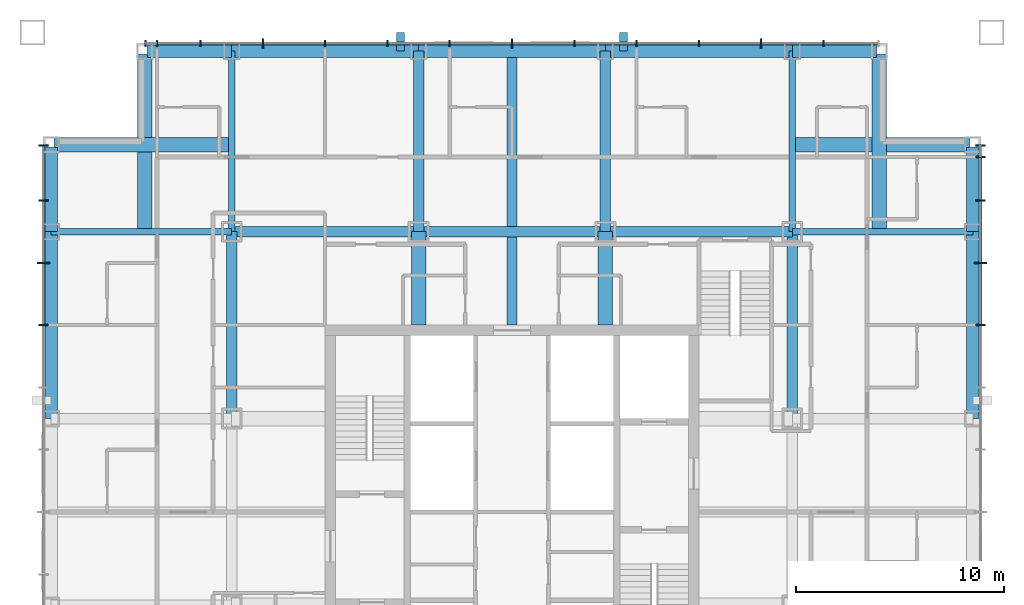
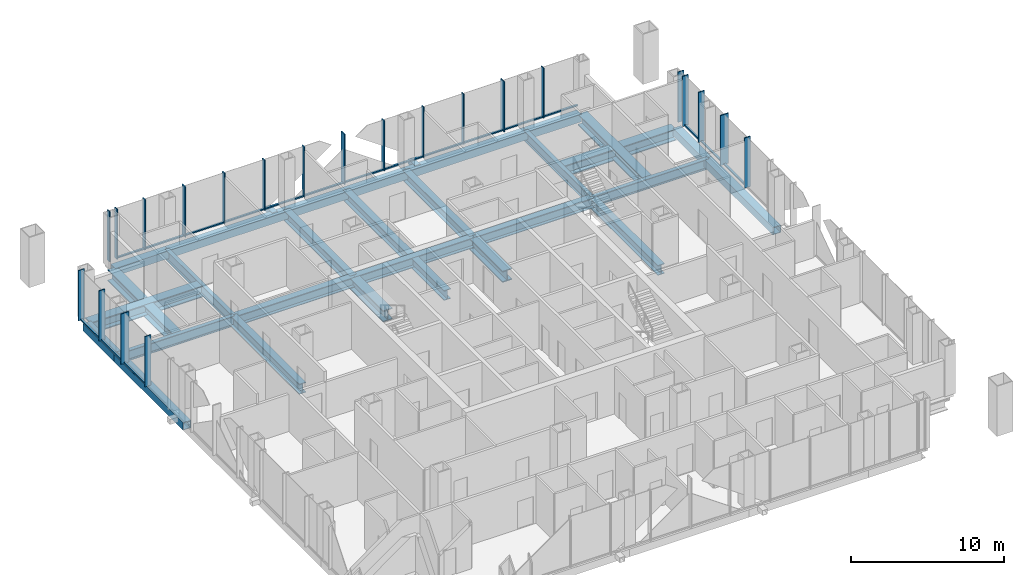
# One storey, part 4 of 17: 42 members, 27 beams, 3 elements without a shape of their own.
"""IFC4 building model written with IfcOpenShell, lengths in metres."""

import ifcopenshell
import ifcopenshell.guid

model = None  # the IFC model being written
_history = None  # IfcOwnerHistory: only IFC2X3 demands one
_inside = {}  # id of a spatial element -> (the spatial element, [elements in it])
_under = {}  # id of a project, library or spatial element -> (it, [spatial elements below it])
_declared = {}  # id of a project -> (the project, [libraries it declares])
_typed = {}  # id of a type object -> (the type object, [elements of that type])
_made_of = {}  # id of a material, layer set ... -> (it, [elements and type objects made of it])


def new_model(schema):
    """Start an empty IFC model of exactly this schema.

    Asked for "IFC4X3", IfcOpenShell would pick the latest addendum, in which some entities
    have other attributes; the version numbers below select the first issue.
    IFC2X3 requires an IfcOwnerHistory on every rooted entity: one is made here for all.
    """
    global model, _history
    if schema == "IFC4X3":
        model = ifcopenshell.file(schema_version=(4, 3, 0, 0))
    else:
        model = ifcopenshell.file(schema=schema)
    _inside.clear()
    _under.clear()
    _declared.clear()
    _typed.clear()
    _made_of.clear()
    _history = None
    if model.schema == "IFC2X3":
        org = make("IfcOrganization", Name="unknown")
        user = make(
            "IfcPersonAndOrganization",
            ThePerson=make("IfcPerson", FamilyName="unknown"),
            TheOrganization=org,
        )
        app = make(
            "IfcApplication",
            ApplicationDeveloper=org,
            Version="unknown",
            ApplicationFullName="unknown",
            ApplicationIdentifier="unknown",
        )
        _history = make(
            "IfcOwnerHistory",
            OwningUser=user,
            OwningApplication=app,
            ChangeAction="ADDED",
            CreationDate=0,
        )
    return model


def make(cls, **values):
    """One entity of the class cls with the attributes given. An attribute that is None is left unset."""
    return model.create_entity(
        cls, **{name: value for name, value in values.items() if value is not None}
    )


def rooted(cls, **values):
    """An entity with a GlobalId (a new one), such as an element, a storey or a relation."""
    return make(cls, GlobalId=ifcopenshell.guid.new(), OwnerHistory=_history, **values)


def si_unit(unit_type, name, prefix=None):
    """IfcSIUnit, for example si_unit("LENGTHUNIT", "METRE", prefix="MILLI")."""
    return make("IfcSIUnit", UnitType=unit_type, Prefix=prefix, Name=name)


def assignment(units):
    """IfcUnitAssignment: the units of a project."""
    return None if units is None else make("IfcUnitAssignment", Units=units)


def point(xyz):
    """IfcCartesianPoint."""
    return None if xyz is None else make("IfcCartesianPoint", Coordinates=xyz)


def direction(xyz):
    """IfcDirection."""
    return None if xyz is None else make("IfcDirection", DirectionRatios=xyz)


def frame(location, z_axis=None, x_axis=None):
    """IfcAxis2Placement3D, a coordinate frame: its origin and axes. An axis left out is left unset."""
    return make(
        "IfcAxis2Placement3D",
        Location=point(location),
        Axis=direction(z_axis),
        RefDirection=direction(x_axis),
    )


def frame_2d(location, x_axis=None):
    """IfcAxis2Placement2D, a coordinate frame in the plane: its origin and x axis."""
    return make(
        "IfcAxis2Placement2D", Location=point(location), RefDirection=direction(x_axis)
    )


def origin():
    """The frame at (0, 0, 0) with its axes left unset."""
    return frame((0.0, 0.0, 0.0))


def origin_2d():
    """The frame at (0, 0) in the plane with its x axis left unset."""
    return frame_2d((0.0, 0.0))


def place(relative_to, where):
    """IfcLocalPlacement: puts the frame where relative to a parent placement (None: the world)."""
    return make(
        "IfcLocalPlacement", PlacementRelTo=relative_to, RelativePlacement=where
    )


def context(
    kind, dimensions, precision=None, world=None, true_north=None, identifier=None
):
    """IfcGeometricRepresentationContext, for example the 3D "Model" context."""
    return make(
        "IfcGeometricRepresentationContext",
        ContextIdentifier=identifier,
        ContextType=kind,
        CoordinateSpaceDimension=dimensions,
        Precision=precision,
        WorldCoordinateSystem=world,
        TrueNorth=true_north,
    )


def subcontext(parent, identifier, kind, view, scale=None):
    """IfcGeometricRepresentationSubContext, for example "Body" below "Model"."""
    return make(
        "IfcGeometricRepresentationSubContext",
        ContextIdentifier=identifier,
        ContextType=kind,
        ParentContext=parent,
        TargetScale=scale,
        TargetView=view,
    )


def project(units=None, contexts=None):
    """IfcProject with its units and contexts."""
    return rooted(
        "IfcProject",
        Name="project",
        RepresentationContexts=contexts,
        UnitsInContext=assignment(units),
    )


def spatial(cls, under=None, at=None, **own):
    """A site, building, storey or space (cls), placed at a placement, below another one or the project."""
    s = rooted(cls, ObjectPlacement=at, **own)
    if under is not None:
        _under.setdefault(under.id(), (under, []))[1].append(s)
    return s


def profile(cls, at=None, kind="AREA", **sizes):
    """A parametric profile (cls). Its sizes go by their IFC names, for example OverallWidth=200.0."""
    return make(cls, ProfileType=kind, Position=at, **sizes)


def rectangle(**sizes):
    """IfcRectangleProfileDef."""
    return profile("IfcRectangleProfileDef", **sizes)


def hollow_rectangle(**sizes):
    """IfcRectangleHollowProfileDef."""
    return profile("IfcRectangleHollowProfileDef", **sizes)


def i_section(**sizes):
    """IfcIShapeProfileDef."""
    return profile("IfcIShapeProfileDef", **sizes)


def extrude(swept, where, along, depth):
    """IfcExtrudedAreaSolid: the profile swept, set in the frame where, extruded along a direction by depth."""
    return make(
        "IfcExtrudedAreaSolid",
        SweptArea=swept,
        Position=where,
        ExtrudedDirection=direction(along),
        Depth=depth,
    )


def shape(context_of_items, identifier, shape_type, items):
    """IfcShapeRepresentation: the items that make up one representation, for example the "Body"."""
    return make(
        "IfcShapeRepresentation",
        ContextOfItems=context_of_items,
        RepresentationIdentifier=identifier,
        RepresentationType=shape_type,
        Items=items,
    )


def material(Name=None, Category=None):
    """IfcMaterial."""
    return make("IfcMaterial", Name=Name, Category=Category)


def layer(
    of_material, thickness, ventilated=None, Name=None, Category=None, Priority=None
):
    """IfcMaterialLayer: one layer of a wall or slab, of a material (None: an air gap)."""
    return make(
        "IfcMaterialLayer",
        Material=of_material,
        LayerThickness=thickness,
        IsVentilated=ventilated,
        Name=Name,
        Category=Category,
        Priority=Priority,
    )


def layer_set(layers, Name=None):
    """IfcMaterialLayerSet."""
    return make("IfcMaterialLayerSet", MaterialLayers=layers, LayerSetName=Name)


def material_profile(
    of_material, cross_section, Name=None, Category=None, Priority=None
):
    """IfcMaterialProfile: a cross section and its material."""
    return make(
        "IfcMaterialProfile",
        Name=Name,
        Material=of_material,
        Profile=cross_section,
        Priority=Priority,
        Category=Category,
    )


def profile_set(profiles, Name=None, composite=None):
    """IfcMaterialProfileSet."""
    return make(
        "IfcMaterialProfileSet",
        Name=Name,
        MaterialProfiles=profiles,
        CompositeProfile=composite,
    )


def made_of(thing, what):
    """Note that an element or type object is made of a material, layer set ...; save() writes the relation."""
    if what is not None:
        _made_of.setdefault(what.id(), (what, []))[1].append(thing)
    return thing


def type_object(cls, material=None, **own):
    """A type object (cls), such as IfcWallType, which elements share."""
    return made_of(rooted(cls, **own), material)


def element(
    cls,
    number,
    at=None,
    inside=None,
    cuts=None,
    type_object=None,
    material=None,
    context=None,
    identifier="Body",
    shape_type=None,
    held_by="IfcProductDefinitionShape",
    body=None,
    shapes=None,
    **own,
):
    """One element of the class cls, such as IfcWall. Its Tag is "e" and its number.

    at: its placement. inside: the storey or other place that contains it. cuts: it is an
    opening in that element (IfcRelVoidsElement). A single representation is given by context,
    identifier, shape_type and body (its items); several are given by shapes. held_by: the class
    of the entity that holds the representations. save() writes the other relations.
    """
    e = rooted(cls, Tag="e%d" % number, ObjectPlacement=at, **own)
    if body is not None:
        shapes = [shape(context, identifier, shape_type, body)]
    if shapes is not None:
        e.Representation = make(held_by, Representations=shapes)
    if inside is not None:
        _inside.setdefault(inside.id(), (inside, []))[1].append(e)
    if cuts is not None:
        rooted(
            "IfcRelVoidsElement", RelatingBuildingElement=cuts, RelatedOpeningElement=e
        )
    if type_object is not None:
        _typed.setdefault(type_object.id(), (type_object, []))[1].append(e)
    return made_of(e, material)


def aggregate(whole, parts):
    """IfcRelAggregates: a whole, such as a stair, and the parts it consists of."""
    return rooted("IfcRelAggregates", RelatingObject=whole, RelatedObjects=parts)


def save(model, path):
    """Write the relations noted so far, then the file.

    IfcRelAggregates (storeys below a building ...), IfcRelContainedInSpatialStructure (elements
    in a storey), IfcRelDefinesByType, IfcRelAssociatesMaterial and IfcRelDeclares: one each for
    every whole, place, type object, material and project.
    """
    for whole, parts in _under.values():
        aggregate(whole, parts)
    for where, things in _inside.values():
        rooted(
            "IfcRelContainedInSpatialStructure",
            RelatedElements=things,
            RelatingStructure=where,
        )
    for kind, things in _typed.values():
        rooted("IfcRelDefinesByType", RelatedObjects=things, RelatingType=kind)
    for what, things in _made_of.values():
        rooted("IfcRelAssociatesMaterial", RelatedObjects=things, RelatingMaterial=what)
    for by, libraries in _declared.values():
        rooted("IfcRelDeclares", RelatingContext=by, RelatedDefinitions=libraries)
    model.write(path)


model = new_model("IFC4")

# Units and contexts
model_context = context("Model", 3, precision=1e-05, world=origin(), true_north=direction((0.0, 1.0)))
body_context = subcontext(model_context, "Body", "Model", "MODEL_VIEW")
ifc_project = project(units=[si_unit("LENGTHUNIT", "METRE"), si_unit("AREAUNIT", "SQUARE_METRE"), si_unit("VOLUMEUNIT", "CUBIC_METRE"), si_unit("PLANEANGLEUNIT", "RADIAN"), si_unit("MASSUNIT", "GRAM", prefix="KILO")], contexts=[model_context])

# Site, building, storey
site_placement = place(None, origin())
site = spatial("IfcSite", under=ifc_project, at=site_placement, CompositionType="ELEMENT")
building_placement = place(site_placement, origin())
building = spatial("IfcBuilding", under=site, at=building_placement, Name="Malebo Sky Hospital", CompositionType="ELEMENT")
storey_placement = place(building_placement, frame((0.0, 0.0, 189.0)))
storey = spatial("IfcBuildingStorey", under=building, at=storey_placement, Name="L45", CompositionType="ELEMENT", Elevation=189.0)

# Curtain wall, members
ifc_material_1 = material(Name="Anodised aluminium, natural silver", Category="aluminium")
ifc_layer_1 = layer(ifc_material_1, 0.25)
ifc_layer_set_1 = layer_set([ifc_layer_1], Name="WARD CURTAIN WALL NORTH AND SOUTH")
curtain_wall_type_1 = type_object("IfcCurtainWallType", Name="WARD CURTAIN WALL NORTH AND SOUTH", PredefinedType="NOTDEFINED", material=ifc_layer_set_1)
curtain_wall_1_placement = place(storey_placement, origin())
curtain_wall_1 = element("IfcCurtainWall", 1, at=curtain_wall_1_placement, inside=storey, type_object=curtain_wall_type_1, Name="NS curtain wall N", PredefinedType="NOTDEFINED")
ifc_material_profile_1 = material_profile(ifc_material_1, rectangle(XDim=0.14990234375, YDim=0.10009765625, at=origin_2d()), Name="ALUMINIUM TRANSOM 150x100")
ifc_profile_set_1 = profile_set([ifc_material_profile_1], Name="Anodised aluminium, natural silver")
member_type_1 = type_object("IfcMemberType", Name="ALUMINIUM TRANSOM 150x100", PredefinedType="USERDEFINED", material=ifc_profile_set_1)
member_1_placement = place(storey_placement, frame((42.9375, 84.574951171875, 0.050048828125), z_axis=(1.0, 0.0, 0.0), x_axis=(0.0, 1.0, 0.0)))
member_1 = element("IfcMember", 2, at=member_1_placement, type_object=member_type_1, Name="Transom 2", ObjectType="TRANSOM", PredefinedType="USERDEFINED", context=body_context, shape_type="SweptSolid", body=[
    extrude(rectangle(XDim=0.14990234375, YDim=0.10009765625, at=origin_2d()), origin(), (0.0, 0.0, 1.0), 2.02490234375),
])
member_2_placement = place(storey_placement, frame((45.03759765625, 84.574951171875, 0.050048828125), z_axis=(1.0, 0.0, 0.0), x_axis=(0.0, 1.0, 0.0)))
member_2 = element("IfcMember", 3, at=member_2_placement, type_object=member_type_1, Name="Transom 3", ObjectType="TRANSOM", PredefinedType="USERDEFINED", context=body_context, shape_type="SweptSolid", body=[
    extrude(rectangle(XDim=0.14990234375, YDim=0.10009765625, at=origin_2d()), origin(), (0.0, 0.0, 1.0), 2.9248046875),
])
member_3_placement = place(storey_placement, frame((48.03759765625, 84.574951171875, 0.050048828125), z_axis=(1.0, 0.0, 0.0), x_axis=(0.0, 1.0, 0.0)))
member_3 = element("IfcMember", 4, at=member_3_placement, type_object=member_type_1, Name="Transom 4", ObjectType="TRANSOM", PredefinedType="USERDEFINED", context=body_context, shape_type="SweptSolid", body=[
    extrude(rectangle(XDim=0.14990234375, YDim=0.10009765625, at=origin_2d()), origin(), (0.0, 0.0, 1.0), 2.9248046875),
])
member_4_placement = place(storey_placement, frame((51.03759765625, 84.574951171875, 0.050048828125), z_axis=(1.0, 0.0, 0.0), x_axis=(0.0, 1.0, 0.0)))
member_4 = element("IfcMember", 5, at=member_4_placement, type_object=member_type_1, Name="Transom 5", ObjectType="TRANSOM", PredefinedType="USERDEFINED", context=body_context, shape_type="SweptSolid", body=[
    extrude(rectangle(XDim=0.14990234375, YDim=0.10009765625, at=origin_2d()), origin(), (0.0, 0.0, 1.0), 2.9248046875),
])
member_5_placement = place(storey_placement, frame((54.03759765625, 84.574951171875, 0.050048828125), z_axis=(1.0, 0.0, 0.0), x_axis=(0.0, 1.0, 0.0)))
member_5 = element("IfcMember", 6, at=member_5_placement, type_object=member_type_1, Name="Transom 6", ObjectType="TRANSOM", PredefinedType="USERDEFINED", context=body_context, shape_type="SweptSolid", body=[
    extrude(rectangle(XDim=0.14990234375, YDim=0.10009765625, at=origin_2d()), origin(), (0.0, 0.0, 1.0), 2.9248046875),
])
member_6_placement = place(storey_placement, frame((57.03759765625, 84.574951171875, 0.050048828125), z_axis=(1.0, 0.0, 0.0), x_axis=(0.0, 1.0, 0.0)))
member_6 = element("IfcMember", 7, at=member_6_placement, type_object=member_type_1, Name="Transom 7", ObjectType="TRANSOM", PredefinedType="USERDEFINED", context=body_context, shape_type="SweptSolid", body=[
    extrude(rectangle(XDim=0.14990234375, YDim=0.10009765625, at=origin_2d()), origin(), (0.0, 0.0, 1.0), 2.9248046875),
])
member_7_placement = place(storey_placement, frame((60.03759765625, 84.574951171875, 0.050048828125), z_axis=(1.0, 0.0, 0.0), x_axis=(0.0, 1.0, 0.0)))
member_7 = element("IfcMember", 8, at=member_7_placement, type_object=member_type_1, Name="Transom 8", ObjectType="TRANSOM", PredefinedType="USERDEFINED", context=body_context, shape_type="SweptSolid", body=[
    extrude(rectangle(XDim=0.14990234375, YDim=0.10009765625, at=origin_2d()), origin(), (0.0, 0.0, 1.0), 2.9248046875),
])
member_8_placement = place(storey_placement, frame((63.03759765625, 84.574951171875, 0.050048828125), z_axis=(1.0, 0.0, 0.0), x_axis=(0.0, 1.0, 0.0)))
member_8 = element("IfcMember", 9, at=member_8_placement, type_object=member_type_1, Name="Transom 9", ObjectType="TRANSOM", PredefinedType="USERDEFINED", context=body_context, shape_type="SweptSolid", body=[
    extrude(rectangle(XDim=0.14990234375, YDim=0.10009765625, at=origin_2d()), origin(), (0.0, 0.0, 1.0), 2.9248046875),
])
member_9_placement = place(storey_placement, frame((66.03759765625, 84.574951171875, 0.050048828125), z_axis=(1.0, 0.0, 0.0), x_axis=(0.0, 1.0, 0.0)))
member_9 = element("IfcMember", 10, at=member_9_placement, type_object=member_type_1, Name="Transom 10", ObjectType="TRANSOM", PredefinedType="USERDEFINED", context=body_context, shape_type="SweptSolid", body=[
    extrude(rectangle(XDim=0.14990234375, YDim=0.10009765625, at=origin_2d()), origin(), (0.0, 0.0, 1.0), 2.9248046875),
])
member_10_placement = place(storey_placement, frame((69.03759765625, 84.574951171875, 0.050048828125), z_axis=(1.0, 0.0, 0.0), x_axis=(0.0, 1.0, 0.0)))
member_10 = element("IfcMember", 11, at=member_10_placement, type_object=member_type_1, Name="Transom 11", ObjectType="TRANSOM", PredefinedType="USERDEFINED", context=body_context, shape_type="SweptSolid", body=[
    extrude(rectangle(XDim=0.14990234375, YDim=0.10009765625, at=origin_2d()), origin(), (0.0, 0.0, 1.0), 2.9248046875),
])
member_11_placement = place(storey_placement, frame((72.03759765625, 84.574951171875, 0.050048828125), z_axis=(1.0, 0.0, 0.0), x_axis=(0.0, 1.0, 0.0)))
member_11 = element("IfcMember", 12, at=member_11_placement, type_object=member_type_1, Name="Transom 12", ObjectType="TRANSOM", PredefinedType="USERDEFINED", context=body_context, shape_type="SweptSolid", body=[
    extrude(rectangle(XDim=0.14990234375, YDim=0.10009765625, at=origin_2d()), origin(), (0.0, 0.0, 1.0), 2.9248046875),
])
member_12_placement = place(storey_placement, frame((75.03759765625, 84.574951171875, 0.050048828125), z_axis=(1.0, 0.0, 0.0), x_axis=(0.0, 1.0, 0.0)))
member_12 = element("IfcMember", 13, at=member_12_placement, type_object=member_type_1, Name="Transom 13", ObjectType="TRANSOM", PredefinedType="USERDEFINED", context=body_context, shape_type="SweptSolid", body=[
    extrude(rectangle(XDim=0.14990234375, YDim=0.10009765625, at=origin_2d()), origin(), (0.0, 0.0, 1.0), 2.58740234375),
])

ifc_layer_2 = layer(ifc_material_1, 0.25)
ifc_layer_set_2 = layer_set([ifc_layer_2], Name="WARD CURTAIN WALL EAST AND WEST")
curtain_wall_type_2 = type_object("IfcCurtainWallType", Name="WARD CURTAIN WALL EAST AND WEST", PredefinedType="NOTDEFINED", material=ifc_layer_set_2)
curtain_wall_2_placement = place(storey_placement, origin())
curtain_wall_2 = element("IfcCurtainWall", 14, at=curtain_wall_2_placement, inside=storey, type_object=curtain_wall_type_2, Name="EW curtain wall W", PredefinedType="NOTDEFINED")
member_13_placement = place(storey_placement, frame((37.425048828125, 71.03759765625, 0.050048828125), z_axis=(0.0, 1.0, 0.0), x_axis=(-1.0, 0.0, 0.0)))
member_13 = element("IfcMember", 15, at=member_13_placement, type_object=member_type_1, Name="Transom 11", ObjectType="TRANSOM", PredefinedType="USERDEFINED", context=body_context, shape_type="SweptSolid", body=[
    extrude(rectangle(XDim=0.14990234375, YDim=0.10009765625, at=origin_2d()), origin(), (0.0, 0.0, 1.0), 2.9248046875),
])
member_14_placement = place(storey_placement, frame((37.425048828125, 74.03759765625, 0.050048828125), z_axis=(0.0, 1.0, 0.0), x_axis=(-1.0, 0.0, 0.0)))
member_14 = element("IfcMember", 16, at=member_14_placement, type_object=member_type_1, Name="Transom 12", ObjectType="TRANSOM", PredefinedType="USERDEFINED", context=body_context, shape_type="SweptSolid", body=[
    extrude(rectangle(XDim=0.14990234375, YDim=0.10009765625, at=origin_2d()), origin(), (0.0, 0.0, 1.0), 2.9248046875),
])
member_15_placement = place(storey_placement, frame((37.425048828125, 77.03759765625, 0.050048828125), z_axis=(0.0, 1.0, 0.0), x_axis=(-1.0, 0.0, 0.0)))
member_15 = element("IfcMember", 17, at=member_15_placement, type_object=member_type_1, Name="Transom 13", ObjectType="TRANSOM", PredefinedType="USERDEFINED", context=body_context, shape_type="SweptSolid", body=[
    extrude(rectangle(XDim=0.14990234375, YDim=0.10009765625, at=origin_2d()), origin(), (0.0, 0.0, 1.0), 2.58740234375),
])

curtain_wall_3_placement = place(storey_placement, origin())
curtain_wall_3 = element("IfcCurtainWall", 18, at=curtain_wall_3_placement, inside=storey, type_object=curtain_wall_type_2, Name="EW curtain wall E", PredefinedType="NOTDEFINED")
member_16_placement = place(storey_placement, frame((82.574951171875, 79.0625, 0.050048828125), z_axis=(0.0, -1.0, 0.0), x_axis=(1.0, 0.0, 0.0)))
member_16 = element("IfcMember", 19, at=member_16_placement, type_object=member_type_1, Name="Transom 2", ObjectType="TRANSOM", PredefinedType="USERDEFINED", context=body_context, shape_type="SweptSolid", body=[
    extrude(rectangle(XDim=0.14990234375, YDim=0.10009765625, at=origin_2d()), origin(), (0.0, 0.0, 1.0), 2.02490234375),
])
member_17_placement = place(storey_placement, frame((82.574951171875, 76.96240234375, 0.050048828125), z_axis=(0.0, -1.0, 0.0), x_axis=(1.0, 0.0, 0.0)))
member_17 = element("IfcMember", 20, at=member_17_placement, type_object=member_type_1, Name="Transom 3", ObjectType="TRANSOM", PredefinedType="USERDEFINED", context=body_context, shape_type="SweptSolid", body=[
    extrude(rectangle(XDim=0.14990234375, YDim=0.10009765625, at=origin_2d()), origin(), (0.0, 0.0, 1.0), 2.9248046875),
])
member_18_placement = place(storey_placement, frame((82.574951171875, 73.96240234375, 0.050048828125), z_axis=(0.0, -1.0, 0.0), x_axis=(1.0, 0.0, 0.0)))
member_18 = element("IfcMember", 21, at=member_18_placement, type_object=member_type_1, Name="Transom 4", ObjectType="TRANSOM", PredefinedType="USERDEFINED", context=body_context, shape_type="SweptSolid", body=[
    extrude(rectangle(XDim=0.14990234375, YDim=0.10009765625, at=origin_2d()), origin(), (0.0, 0.0, 1.0), 2.9248046875),
])

# Members
ifc_material_2 = material(Name="Steel S355", Category="steel")
ifc_material_profile_2 = material_profile(ifc_material_2, hollow_rectangle(XDim=0.39990234375, YDim=0.39990234375, WallThickness=0.02001953125, at=origin_2d()), Name="SHS 400x20")
ifc_profile_set_2 = profile_set([ifc_material_profile_2], Name="Steel S355")
member_type_2 = type_object("IfcMemberType", Name="BRACE STRUT SHS 400x20", PredefinedType="STRUT", material=ifc_profile_set_2)
for number, where, z_axis, x_axis, name in (
    (22, (65.37451171875, 85.10009765625, -0.39990234375), (0.0, -1.0, 0.0), (1.0, 0.0, 0.0), "Brace strut CN1 L45"),
    (23, (54.62548828125, 85.10009765625, -0.39990234375), (0.0, -1.0, 0.0), (1.0, 0.0, 0.0), "Brace strut CN2 L45"),
):
    element("IfcMember", number, at=place(storey_placement, frame(where, z_axis=z_axis, x_axis=x_axis)), inside=storey, type_object=member_type_2, Name=name, PredefinedType="STRUT", context=body_context, shape_type="SweptSolid", body=[
        extrude(hollow_rectangle(XDim=0.39990234375, YDim=0.39990234375, WallThickness=0.02001953125, at=origin_2d()), origin(), (0.0, 0.0, 1.0), 0.900146484375),
    ])

# Member
ifc_material_profile_3 = material_profile(ifc_material_1, rectangle(XDim=0.074951171875, YDim=0.300048828125, at=origin_2d()), Name="CW1 ALUMINIUM FIN MULLION 75x300")
ifc_profile_set_3 = profile_set([ifc_material_profile_3], Name="Anodised aluminium, natural silver")
member_type_3 = type_object("IfcMemberType", Name="CW1 ALUMINIUM FIN MULLION 75x300", PredefinedType="MULLION", material=ifc_profile_set_3)
member_19_placement = place(storey_placement, frame((42.33740234375, 84.574951171875, 0.0), z_axis=(0.0, 0.0, 1.0), x_axis=(1.0, 0.0, 0.0)))
member_19 = element("IfcMember", 24, at=member_19_placement, type_object=member_type_3, Name="Fin mullion 1", PredefinedType="MULLION", context=body_context, shape_type="SweptSolid", body=[
    extrude(rectangle(XDim=0.074951171875, YDim=0.300048828125, at=origin_2d()), origin(), (0.0, 0.0, 1.0), 4.0),
])

member_20_placement = place(storey_placement, frame((42.89990234375, 84.574951171875, 0.0), z_axis=(0.0, 0.0, 1.0), x_axis=(1.0, 0.0, 0.0)))
member_20 = element("IfcMember", 25, at=member_20_placement, type_object=member_type_3, Name="Fin mullion 2", PredefinedType="MULLION", context=body_context, shape_type="SweptSolid", body=[
    extrude(rectangle(XDim=0.074951171875, YDim=0.300048828125, at=origin_2d()), origin(), (0.0, 0.0, 1.0), 4.0),
])

member_21_placement = place(storey_placement, frame((45.0, 84.574951171875, 0.0), z_axis=(0.0, 0.0, 1.0), x_axis=(1.0, 0.0, 0.0)))
member_21 = element("IfcMember", 26, at=member_21_placement, type_object=member_type_3, Name="Fin mullion 3", PredefinedType="MULLION", context=body_context, shape_type="SweptSolid", body=[
    extrude(rectangle(XDim=0.074951171875, YDim=0.300048828125, at=origin_2d()), origin(), (0.0, 0.0, 1.0), 4.0),
])

member_22_placement = place(storey_placement, frame((51.0, 84.574951171875, 0.0), z_axis=(0.0, 0.0, 1.0), x_axis=(1.0, 0.0, 0.0)))
member_22 = element("IfcMember", 27, at=member_22_placement, type_object=member_type_3, Name="Fin mullion 5", PredefinedType="MULLION", context=body_context, shape_type="SweptSolid", body=[
    extrude(rectangle(XDim=0.074951171875, YDim=0.300048828125, at=origin_2d()), origin(), (0.0, 0.0, 1.0), 4.0),
])

member_23_placement = place(storey_placement, frame((54.0, 84.574951171875, 0.0), z_axis=(0.0, 0.0, 1.0), x_axis=(1.0, 0.0, 0.0)))
member_23 = element("IfcMember", 28, at=member_23_placement, type_object=member_type_3, Name="Fin mullion 6", PredefinedType="MULLION", context=body_context, shape_type="SweptSolid", body=[
    extrude(rectangle(XDim=0.074951171875, YDim=0.300048828125, at=origin_2d()), origin(), (0.0, 0.0, 1.0), 4.0),
])

member_24_placement = place(storey_placement, frame((57.0, 84.574951171875, 0.0), z_axis=(0.0, 0.0, 1.0), x_axis=(1.0, 0.0, 0.0)))
member_24 = element("IfcMember", 29, at=member_24_placement, type_object=member_type_3, Name="Fin mullion 7", PredefinedType="MULLION", context=body_context, shape_type="SweptSolid", body=[
    extrude(rectangle(XDim=0.074951171875, YDim=0.300048828125, at=origin_2d()), origin(), (0.0, 0.0, 1.0), 4.0),
])

member_25_placement = place(storey_placement, frame((63.0, 84.574951171875, 0.0), z_axis=(0.0, 0.0, 1.0), x_axis=(1.0, 0.0, 0.0)))
member_25 = element("IfcMember", 30, at=member_25_placement, type_object=member_type_3, Name="Fin mullion 9", PredefinedType="MULLION", context=body_context, shape_type="SweptSolid", body=[
    extrude(rectangle(XDim=0.074951171875, YDim=0.300048828125, at=origin_2d()), origin(), (0.0, 0.0, 1.0), 4.0),
])

member_26_placement = place(storey_placement, frame((66.0, 84.574951171875, 0.0), z_axis=(0.0, 0.0, 1.0), x_axis=(1.0, 0.0, 0.0)))
member_26 = element("IfcMember", 31, at=member_26_placement, type_object=member_type_3, Name="Fin mullion 10", PredefinedType="MULLION", context=body_context, shape_type="SweptSolid", body=[
    extrude(rectangle(XDim=0.074951171875, YDim=0.300048828125, at=origin_2d()), origin(), (0.0, 0.0, 1.0), 4.0),
])

member_27_placement = place(storey_placement, frame((69.0, 84.574951171875, 0.0), z_axis=(0.0, 0.0, 1.0), x_axis=(1.0, 0.0, 0.0)))
member_27 = element("IfcMember", 32, at=member_27_placement, type_object=member_type_3, Name="Fin mullion 11", PredefinedType="MULLION", context=body_context, shape_type="SweptSolid", body=[
    extrude(rectangle(XDim=0.074951171875, YDim=0.300048828125, at=origin_2d()), origin(), (0.0, 0.0, 1.0), 4.0),
])

member_28_placement = place(storey_placement, frame((75.0, 84.574951171875, 0.0), z_axis=(0.0, 0.0, 1.0), x_axis=(1.0, 0.0, 0.0)))
member_28 = element("IfcMember", 33, at=member_28_placement, type_object=member_type_3, Name="Fin mullion 13", PredefinedType="MULLION", context=body_context, shape_type="SweptSolid", body=[
    extrude(rectangle(XDim=0.074951171875, YDim=0.300048828125, at=origin_2d()), origin(), (0.0, 0.0, 1.0), 4.0),
])

ifc_material_profile_4 = material_profile(ifc_material_1, rectangle(XDim=0.074951171875, YDim=0.449951171875, at=origin_2d()), Name="CW1 ALUMINIUM FIN MULLION 75x450")
ifc_profile_set_4 = profile_set([ifc_material_profile_4], Name="Anodised aluminium, natural silver")
member_type_4 = type_object("IfcMemberType", Name="CW1 ALUMINIUM FIN MULLION 75x450", PredefinedType="MULLION", material=ifc_profile_set_4)
member_29_placement = place(storey_placement, frame((48.0, 84.574951171875, 0.0), z_axis=(0.0, 0.0, 1.0), x_axis=(1.0, 0.0, 0.0)))
member_29 = element("IfcMember", 34, at=member_29_placement, type_object=member_type_4, Name="Fin mullion 4", PredefinedType="MULLION", context=body_context, shape_type="SweptSolid", body=[
    extrude(rectangle(XDim=0.074951171875, YDim=0.449951171875, at=origin_2d()), origin(), (0.0, 0.0, 1.0), 4.0),
])

member_30_placement = place(storey_placement, frame((60.0, 84.574951171875, 0.0), z_axis=(0.0, 0.0, 1.0), x_axis=(1.0, 0.0, 0.0)))
member_30 = element("IfcMember", 35, at=member_30_placement, type_object=member_type_4, Name="Fin mullion 8", PredefinedType="MULLION", context=body_context, shape_type="SweptSolid", body=[
    extrude(rectangle(XDim=0.074951171875, YDim=0.449951171875, at=origin_2d()), origin(), (0.0, 0.0, 1.0), 4.0),
])

member_31_placement = place(storey_placement, frame((72.0, 84.574951171875, 0.0), z_axis=(0.0, 0.0, 1.0), x_axis=(1.0, 0.0, 0.0)))
member_31 = element("IfcMember", 36, at=member_31_placement, type_object=member_type_4, Name="Fin mullion 12", PredefinedType="MULLION", context=body_context, shape_type="SweptSolid", body=[
    extrude(rectangle(XDim=0.074951171875, YDim=0.449951171875, at=origin_2d()), origin(), (0.0, 0.0, 1.0), 4.0),
])

aggregate(curtain_wall_1, [member_19, member_20, member_21, member_29, member_22, member_23, member_24, member_30, member_25, member_26, member_27, member_31, member_28, member_1, member_2, member_3, member_4, member_5, member_6, member_7, member_8, member_9, member_10, member_11, member_12])

ifc_material_profile_5 = material_profile(ifc_material_1, rectangle(XDim=0.074951171875, YDim=0.449951171875, at=origin_2d()), Name="CW2 ALUMINIUM FIN MULLION 75x450")
ifc_profile_set_5 = profile_set([ifc_material_profile_5], Name="Anodised aluminium, natural silver")
member_type_5 = type_object("IfcMemberType", Name="CW2 ALUMINIUM FIN MULLION 75x450", PredefinedType="MULLION", material=ifc_profile_set_5)
member_32_placement = place(storey_placement, frame((37.425048828125, 71.0, 0.0), z_axis=(0.0, 0.0, 1.0), x_axis=(0.0, 1.0, 0.0)))
member_32 = element("IfcMember", 37, at=member_32_placement, type_object=member_type_5, Name="Fin mullion 11", PredefinedType="MULLION", context=body_context, shape_type="SweptSolid", body=[
    extrude(rectangle(XDim=0.074951171875, YDim=0.449951171875, at=origin_2d()), origin(), (0.0, 0.0, 1.0), 4.0),
])

member_33_placement = place(storey_placement, frame((37.425048828125, 77.0, 0.0), z_axis=(0.0, 0.0, 1.0), x_axis=(0.0, 1.0, 0.0)))
member_33 = element("IfcMember", 38, at=member_33_placement, type_object=member_type_5, Name="Fin mullion 13", PredefinedType="MULLION", context=body_context, shape_type="SweptSolid", body=[
    extrude(rectangle(XDim=0.074951171875, YDim=0.449951171875, at=origin_2d()), origin(), (0.0, 0.0, 1.0), 4.0),
])

member_34_placement = place(storey_placement, frame((37.425048828125, 79.66259765625, 0.0), z_axis=(0.0, 0.0, 1.0), x_axis=(0.0, 1.0, 0.0)))
member_34 = element("IfcMember", 39, at=member_34_placement, type_object=member_type_5, Name="Fin mullion 14", PredefinedType="MULLION", context=body_context, shape_type="SweptSolid", body=[
    extrude(rectangle(XDim=0.074951171875, YDim=0.449951171875, at=origin_2d()), origin(), (0.0, 0.0, 1.0), 4.0),
])

member_35_placement = place(storey_placement, frame((82.574951171875, 79.66259765625, 0.0), z_axis=(0.0, 0.0, 1.0), x_axis=(0.0, -1.0, 0.0)))
member_35 = element("IfcMember", 40, at=member_35_placement, type_object=member_type_5, Name="Fin mullion 1", PredefinedType="MULLION", context=body_context, shape_type="SweptSolid", body=[
    extrude(rectangle(XDim=0.074951171875, YDim=0.449951171875, at=origin_2d()), origin(), (0.0, 0.0, 1.0), 4.0),
])

member_36_placement = place(storey_placement, frame((82.574951171875, 79.10009765625, 0.0), z_axis=(0.0, 0.0, 1.0), x_axis=(0.0, -1.0, 0.0)))
member_36 = element("IfcMember", 41, at=member_36_placement, type_object=member_type_5, Name="Fin mullion 2", PredefinedType="MULLION", context=body_context, shape_type="SweptSolid", body=[
    extrude(rectangle(XDim=0.074951171875, YDim=0.449951171875, at=origin_2d()), origin(), (0.0, 0.0, 1.0), 4.0),
])

member_37_placement = place(storey_placement, frame((82.574951171875, 77.0, 0.0), z_axis=(0.0, 0.0, 1.0), x_axis=(0.0, -1.0, 0.0)))
member_37 = element("IfcMember", 42, at=member_37_placement, type_object=member_type_5, Name="Fin mullion 3", PredefinedType="MULLION", context=body_context, shape_type="SweptSolid", body=[
    extrude(rectangle(XDim=0.074951171875, YDim=0.449951171875, at=origin_2d()), origin(), (0.0, 0.0, 1.0), 4.0),
])

member_38_placement = place(storey_placement, frame((82.574951171875, 71.0, 0.0), z_axis=(0.0, 0.0, 1.0), x_axis=(0.0, -1.0, 0.0)))
member_38 = element("IfcMember", 43, at=member_38_placement, type_object=member_type_5, Name="Fin mullion 5", PredefinedType="MULLION", context=body_context, shape_type="SweptSolid", body=[
    extrude(rectangle(XDim=0.074951171875, YDim=0.449951171875, at=origin_2d()), origin(), (0.0, 0.0, 1.0), 4.0),
])

ifc_material_profile_6 = material_profile(ifc_material_1, rectangle(XDim=0.074951171875, YDim=0.60009765625, at=origin_2d()), Name="CW2 ALUMINIUM FIN MULLION 75x600")
ifc_profile_set_6 = profile_set([ifc_material_profile_6], Name="Anodised aluminium, natural silver")
member_type_6 = type_object("IfcMemberType", Name="CW2 ALUMINIUM FIN MULLION 75x600", PredefinedType="MULLION", material=ifc_profile_set_6)
member_39_placement = place(storey_placement, frame((37.425048828125, 74.0, 0.0), z_axis=(0.0, 0.0, 1.0), x_axis=(0.0, 1.0, 0.0)))
member_39 = element("IfcMember", 44, at=member_39_placement, type_object=member_type_6, Name="Fin mullion 12", PredefinedType="MULLION", context=body_context, shape_type="SweptSolid", body=[
    extrude(rectangle(XDim=0.074951171875, YDim=0.60009765625, at=origin_2d()), origin(), (0.0, 0.0, 1.0), 4.0),
])

aggregate(curtain_wall_2, [member_32, member_39, member_33, member_34, member_13, member_14, member_15])

member_40_placement = place(storey_placement, frame((82.574951171875, 74.0, 0.0), z_axis=(0.0, 0.0, 1.0), x_axis=(0.0, -1.0, 0.0)))
member_40 = element("IfcMember", 45, at=member_40_placement, type_object=member_type_6, Name="Fin mullion 4", PredefinedType="MULLION", context=body_context, shape_type="SweptSolid", body=[
    extrude(rectangle(XDim=0.074951171875, YDim=0.60009765625, at=origin_2d()), origin(), (0.0, 0.0, 1.0), 4.0),
])

aggregate(curtain_wall_3, [member_35, member_36, member_37, member_40, member_38, member_16, member_17, member_18])

# Beams
ifc_material_3 = material(Name="Steel S460", Category="steel")
ifc_material_profile_7 = material_profile(ifc_material_3, hollow_rectangle(XDim=0.60009765625, YDim=0.60009765625, WallThickness=0.0400390625, at=origin_2d()), Name="BOX 600x600x40")
ifc_profile_set_7 = profile_set([ifc_material_profile_7], Name="Steel S460")
beam_type_1 = type_object("IfcBeamType", Name="EDGE BEAM BOX 600x600x40", PredefinedType="BEAM", material=ifc_profile_set_7)
beam_1_placement = place(storey_placement, frame((37.800048828125, 66.5, -0.550048828125), z_axis=(0.0, 1.0, 0.0), x_axis=(-1.0, 0.0, 0.0)))
element("IfcBeam", 46, at=beam_1_placement, inside=storey, type_object=beam_type_1, Name="Beam 003 L45", PredefinedType="BEAM", context=body_context, shape_type="SweptSolid", body=[
    extrude(hollow_rectangle(XDim=0.60009765625, YDim=0.60009765625, WallThickness=0.0400390625, at=origin_2d()), origin(), (0.0, 0.0, 1.0), 9.0),
])
beam_2_placement = place(storey_placement, frame((37.800048828125, 75.5, -0.550048828125), z_axis=(0.0, 1.0, 0.0), x_axis=(-1.0, 0.0, 0.0)))
element("IfcBeam", 47, at=beam_2_placement, inside=storey, type_object=beam_type_1, Name="Beam 004 L45", PredefinedType="BEAM", context=body_context, shape_type="SweptSolid", body=[
    extrude(hollow_rectangle(XDim=0.60009765625, YDim=0.60009765625, WallThickness=0.0400390625, at=origin_2d()), origin(), (0.0, 0.0, 1.0), 4.050048828125),
])
beam_3_placement = place(storey_placement, frame((82.199951171875, 66.5, -0.550048828125), z_axis=(0.0, 1.0, 0.0), x_axis=(-1.0, 0.0, 0.0)))
element("IfcBeam", 48, at=beam_3_placement, inside=storey, type_object=beam_type_1, Name="Beam 032 L45", PredefinedType="BEAM", context=body_context, shape_type="SweptSolid", body=[
    extrude(hollow_rectangle(XDim=0.60009765625, YDim=0.60009765625, WallThickness=0.0400390625, at=origin_2d()), origin(), (0.0, 0.0, 1.0), 9.0),
])
for number, where, z_axis, x_axis, name in (
    (49, (82.199951171875, 75.5, -0.550048828125), (0.0, 1.0, 0.0), (-1.0, 0.0, 0.0), "Beam 033 L45"),
    (50, (42.449951171875, 84.199951171875, -0.550048828125), (1.0, 0.0, 0.0), (0.0, 1.0, 0.0), "Beam 063 L45"),
):
    element("IfcBeam", number, at=place(storey_placement, frame(where, z_axis=z_axis, x_axis=x_axis)), inside=storey, type_object=beam_type_1, Name=name, PredefinedType="BEAM", context=body_context, shape_type="SweptSolid", body=[
        extrude(hollow_rectangle(XDim=0.60009765625, YDim=0.60009765625, WallThickness=0.0400390625, at=origin_2d()), origin(), (0.0, 0.0, 1.0), 4.050048828125),
    ])
for number, where, z_axis, x_axis, name in (
    (51, (46.5, 84.199951171875, -0.550048828125), (1.0, 0.0, 0.0), (0.0, 1.0, 0.0), "Beam 064 L45"),
    (52, (55.5, 84.199951171875, -0.550048828125), (1.0, 0.0, 0.0), (0.0, 1.0, 0.0), "Beam 065 L45"),
    (53, (64.5, 84.199951171875, -0.550048828125), (1.0, 0.0, 0.0), (0.0, 1.0, 0.0), "Beam 066 L45"),
):
    element("IfcBeam", number, at=place(storey_placement, frame(where, z_axis=z_axis, x_axis=x_axis)), inside=storey, type_object=beam_type_1, Name=name, PredefinedType="BEAM", context=body_context, shape_type="SweptSolid", body=[
        extrude(hollow_rectangle(XDim=0.60009765625, YDim=0.60009765625, WallThickness=0.0400390625, at=origin_2d()), origin(), (0.0, 0.0, 1.0), 9.0),
    ])
beam_4_placement = place(storey_placement, frame((73.5, 84.199951171875, -0.550048828125), z_axis=(1.0, 0.0, 0.0), x_axis=(0.0, 1.0, 0.0)))
element("IfcBeam", 54, at=beam_4_placement, inside=storey, type_object=beam_type_1, Name="Beam 067 L45", PredefinedType="BEAM", context=body_context, shape_type="SweptSolid", body=[
    extrude(hollow_rectangle(XDim=0.60009765625, YDim=0.60009765625, WallThickness=0.0400390625, at=origin_2d()), origin(), (0.0, 0.0, 1.0), 4.050048828125),
])
ifc_material_profile_8 = material_profile(ifc_material_2, i_section(OverallWidth=0.5, OverallDepth=0.800048828125, WebThickness=0.030029296875, FlangeThickness=0.050048828125, at=origin_2d()), Name="PG 800x500x30x50")
ifc_profile_set_8 = profile_set([ifc_material_profile_8], Name="Steel S355")
beam_type_2 = type_object("IfcBeamType", Name="FLOOR BEAM PG 800x500x30x50", PredefinedType="BEAM", material=ifc_profile_set_8)
beam_5_placement = place(storey_placement, frame((46.5, 66.5, -0.64990234375), z_axis=(0.0, 1.0, 0.0), x_axis=(-1.0, 0.0, 0.0)))
element("IfcBeam", 55, at=beam_5_placement, inside=storey, type_object=beam_type_2, Name="Beam 010 L45", PredefinedType="BEAM", context=body_context, shape_type="SweptSolid", body=[
    extrude(i_section(OverallWidth=0.5, OverallDepth=0.800048828125, WebThickness=0.030029296875, FlangeThickness=0.050048828125, at=origin_2d()), origin(), (0.0, 0.0, 1.0), 9.0),
])
beam_6_placement = place(storey_placement, frame((55.5, 75.5, -0.64990234375), z_axis=(0.0, 1.0, 0.0), x_axis=(-1.0, 0.0, 0.0)))
element("IfcBeam", 56, at=beam_6_placement, inside=storey, type_object=beam_type_2, Name="Beam 015 L45", PredefinedType="BEAM", context=body_context, shape_type="SweptSolid", body=[
    extrude(i_section(OverallWidth=0.5, OverallDepth=0.800048828125, WebThickness=0.030029296875, FlangeThickness=0.050048828125, at=origin_2d()), origin(), (0.0, 0.0, 1.0), 8.699951171875),
])
beam_7_placement = place(storey_placement, frame((60.0, 71.0, -0.64990234375), z_axis=(0.0, 1.0, 0.0), x_axis=(-1.0, 0.0, 0.0)))
element("IfcBeam", 57, at=beam_7_placement, inside=storey, type_object=beam_type_2, Name="Beam 017 L45", PredefinedType="BEAM", context=body_context, shape_type="SweptSolid", body=[
    extrude(i_section(OverallWidth=0.5, OverallDepth=0.800048828125, WebThickness=0.030029296875, FlangeThickness=0.050048828125, at=origin_2d()), origin(), (0.0, 0.0, 1.0), 13.199951171875),
])
beam_8_placement = place(storey_placement, frame((64.5, 75.5, -0.64990234375), z_axis=(0.0, 1.0, 0.0), x_axis=(-1.0, 0.0, 0.0)))
element("IfcBeam", 58, at=beam_8_placement, inside=storey, type_object=beam_type_2, Name="Beam 021 L45", PredefinedType="BEAM", context=body_context, shape_type="SweptSolid", body=[
    extrude(i_section(OverallWidth=0.5, OverallDepth=0.800048828125, WebThickness=0.030029296875, FlangeThickness=0.050048828125, at=origin_2d()), origin(), (0.0, 0.0, 1.0), 8.699951171875),
])
for number, where, z_axis, x_axis, name in (
    (59, (73.5, 66.5, -0.64990234375), (0.0, 1.0, 0.0), (-1.0, 0.0, 0.0), "Beam 025 L45"),
    (60, (46.5, 75.5, -0.64990234375), (1.0, 0.0, 0.0), (0.0, 1.0, 0.0), "Beam 057 L45"),
    (61, (64.5, 75.5, -0.64990234375), (1.0, 0.0, 0.0), (0.0, 1.0, 0.0), "Beam 059 L45"),
):
    element("IfcBeam", number, at=place(storey_placement, frame(where, z_axis=z_axis, x_axis=x_axis)), inside=storey, type_object=beam_type_2, Name=name, PredefinedType="BEAM", context=body_context, shape_type="SweptSolid", body=[
        extrude(i_section(OverallWidth=0.5, OverallDepth=0.800048828125, WebThickness=0.030029296875, FlangeThickness=0.050048828125, at=origin_2d()), origin(), (0.0, 0.0, 1.0), 9.0),
    ])
ifc_material_profile_9 = material_profile(ifc_material_2, i_section(OverallWidth=0.699951171875, OverallDepth=0.89990234375, WebThickness=0.0400390625, FlangeThickness=0.070068359375, at=origin_2d()), Name="PG 900x700x40x70")
ifc_profile_set_9 = profile_set([ifc_material_profile_9], Name="Steel S355")
beam_type_3 = type_object("IfcBeamType", Name="FLOOR BEAM PG 900x700x40x70", PredefinedType="BEAM", material=ifc_profile_set_9)
beam_9_placement = place(storey_placement, frame((42.300048828125, 75.5, -0.699951171875), z_axis=(0.0, 1.0, 0.0), x_axis=(-1.0, 0.0, 0.0)))
element("IfcBeam", 62, at=beam_9_placement, inside=storey, type_object=beam_type_3, Name="Beam 006 L45", PredefinedType="BEAM", context=body_context, shape_type="SweptSolid", body=[
    extrude(i_section(OverallWidth=0.699951171875, OverallDepth=0.89990234375, WebThickness=0.0400390625, FlangeThickness=0.070068359375, at=origin_2d()), origin(), (0.0, 0.0, 1.0), 8.550048828125),
])
for number, where, z_axis, x_axis, name in (
    (63, (55.5, 71.0, -0.699951171875), (0.0, 1.0, 0.0), (-1.0, 0.0, 0.0), "Beam 014 L45"),
    (64, (64.5, 71.0, -0.699951171875), (0.0, 1.0, 0.0), (-1.0, 0.0, 0.0), "Beam 020 L45"),
):
    element("IfcBeam", number, at=place(storey_placement, frame(where, z_axis=z_axis, x_axis=x_axis)), inside=storey, type_object=beam_type_3, Name=name, PredefinedType="BEAM", context=body_context, shape_type="SweptSolid", body=[
        extrude(i_section(OverallWidth=0.699951171875, OverallDepth=0.89990234375, WebThickness=0.0400390625, FlangeThickness=0.070068359375, at=origin_2d()), origin(), (0.0, 0.0, 1.0), 4.5),
    ])
for number, where, z_axis, x_axis, name in (
    (65, (77.699951171875, 75.5, -0.699951171875), (0.0, 1.0, 0.0), (-1.0, 0.0, 0.0), "Beam 028 L45"),
    (66, (37.949951171875, 79.699951171875, -0.699951171875), (1.0, 0.0, 0.0), (0.0, 1.0, 0.0), "Beam 061 L45"),
    (67, (73.5, 79.699951171875, -0.699951171875), (1.0, 0.0, 0.0), (0.0, 1.0, 0.0), "Beam 062 L45"),
):
    element("IfcBeam", number, at=place(storey_placement, frame(where, z_axis=z_axis, x_axis=x_axis)), inside=storey, type_object=beam_type_3, Name=name, PredefinedType="BEAM", context=body_context, shape_type="SweptSolid", body=[
        extrude(i_section(OverallWidth=0.699951171875, OverallDepth=0.89990234375, WebThickness=0.0400390625, FlangeThickness=0.070068359375, at=origin_2d()), origin(), (0.0, 0.0, 1.0), 8.550048828125),
    ])
ifc_material_profile_10 = material_profile(ifc_material_2, i_section(OverallWidth=0.300048828125, OverallDepth=0.800048828125, WebThickness=0.017578125, FlangeThickness=0.032958984375, FilletRadius=0.030029296875, at=origin_2d()), Name="HEB 800")
ifc_profile_set_10 = profile_set([ifc_material_profile_10], Name="Steel S355")
beam_type_4 = type_object("IfcBeamType", Name="FLOOR GIRDER HEB 800", PredefinedType="BEAM", material=ifc_profile_set_10)
for number, where, z_axis, x_axis, name in (
    (68, (46.5, 75.5, -0.64990234375), (0.0, 1.0, 0.0), (-1.0, 0.0, 0.0), "Beam 011 L45"),
    (69, (73.5, 75.5, -0.64990234375), (0.0, 1.0, 0.0), (-1.0, 0.0, 0.0), "Beam 026 L45"),
    (70, (37.800048828125, 75.5, -0.64990234375), (1.0, 0.0, 0.0), (0.0, 1.0, 0.0), "Beam 056 L45"),
    (71, (73.5, 75.5, -0.64990234375), (1.0, 0.0, 0.0), (0.0, 1.0, 0.0), "Beam 060 L45"),
):
    element("IfcBeam", number, at=place(storey_placement, frame(where, z_axis=z_axis, x_axis=x_axis)), inside=storey, type_object=beam_type_4, Name=name, PredefinedType="BEAM", context=body_context, shape_type="SweptSolid", body=[
        extrude(i_section(OverallWidth=0.300048828125, OverallDepth=0.800048828125, WebThickness=0.017578125, FlangeThickness=0.032958984375, FilletRadius=0.030029296875, at=origin_2d()), origin(), (0.0, 0.0, 1.0), 8.699951171875),
    ])
ifc_material_profile_11 = material_profile(ifc_material_2, i_section(OverallWidth=0.5, OverallDepth=0.800048828125, WebThickness=0.030029296875, FlangeThickness=0.050048828125, at=origin_2d()), Name="PG 800x500x30x50")
ifc_profile_set_11 = profile_set([ifc_material_profile_11], Name="Steel S355")
beam_type_5 = type_object("IfcBeamType", Name="RING GIRDER PG 800x500x30x50", PredefinedType="BEAM", material=ifc_profile_set_11)
beam_10_placement = place(storey_placement, frame((55.5, 75.5, -0.64990234375), z_axis=(1.0, 0.0, 0.0), x_axis=(0.0, 1.0, 0.0)))
element("IfcBeam", 72, at=beam_10_placement, inside=storey, type_object=beam_type_5, Name="Beam 058 L45", PredefinedType="BEAM", context=body_context, shape_type="SweptSolid", body=[
    extrude(i_section(OverallWidth=0.5, OverallDepth=0.800048828125, WebThickness=0.030029296875, FlangeThickness=0.050048828125, at=origin_2d()), origin(), (0.0, 0.0, 1.0), 9.0),
])

save(model, "model.ifc")
